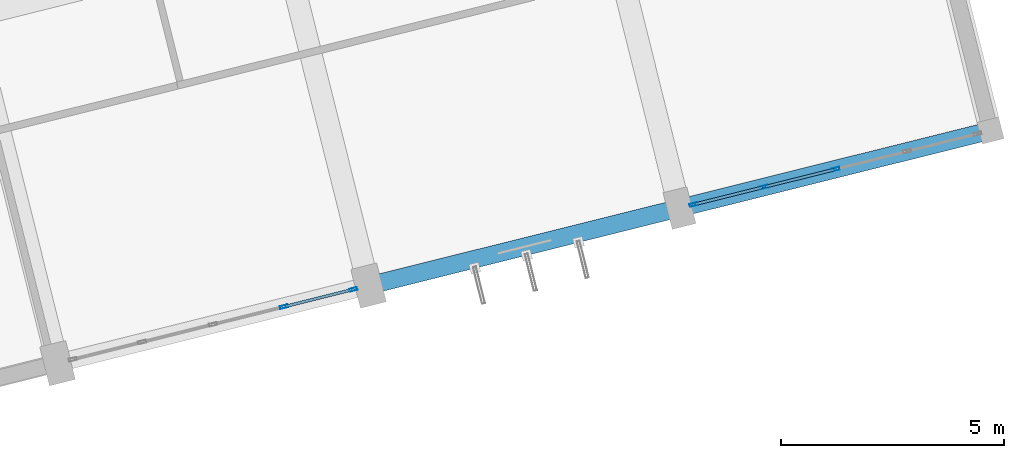
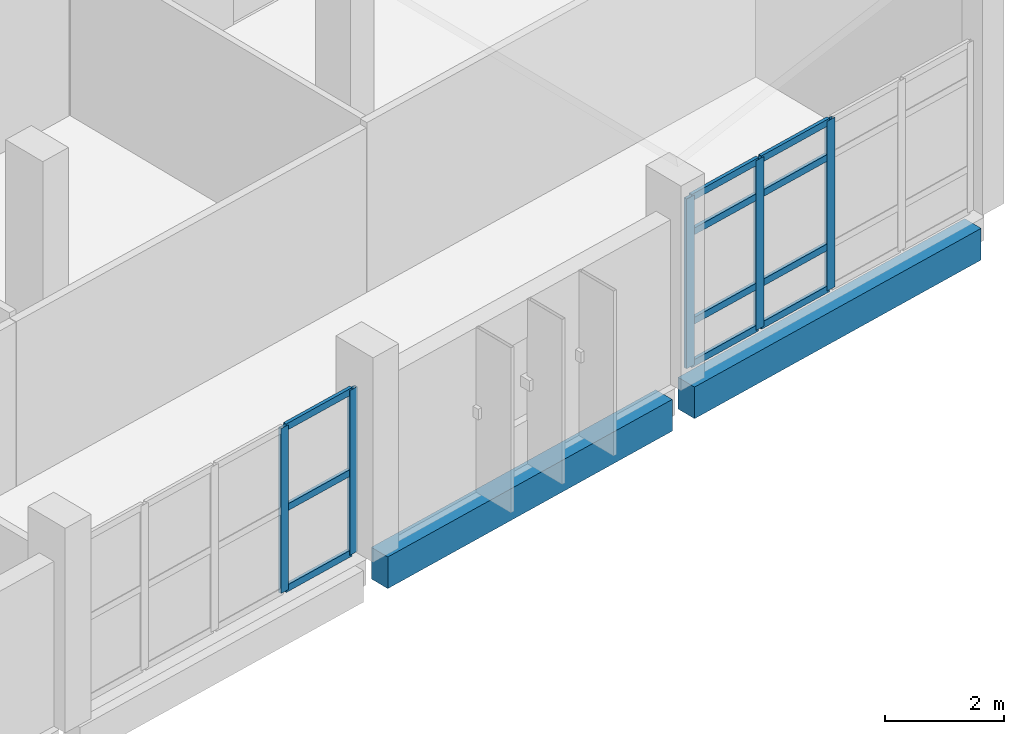
# One storey, part 108 of 164: 16 members, 2 beams, 2 elements without a shape of their own.
"""IFC4 building model written with IfcOpenShell, lengths in metres."""

from ifc_helpers import new_model, si_unit, direction, frame, origin, origin_2d, place, context, subcontext, project, spatial, rectangle, hollow_rectangle, extrude, material, layer, layer_set, material_profile, profile_set, type_object, element, aggregate, save


model = new_model("IFC4")

# Units and contexts
model_context = context("Model", 3, precision=1e-05, world=origin(), true_north=direction((0.0, 1.0)))
body_context = subcontext(model_context, "Body", "Model", "MODEL_VIEW")
ifc_project = project(units=[si_unit("LENGTHUNIT", "METRE"), si_unit("AREAUNIT", "SQUARE_METRE"), si_unit("VOLUMEUNIT", "CUBIC_METRE"), si_unit("PLANEANGLEUNIT", "RADIAN"), si_unit("MASSUNIT", "GRAM", prefix="KILO")], contexts=[model_context])

# Site, building, storey
site_placement = place(None, origin())
site = spatial("IfcSite", under=ifc_project, at=site_placement, CompositionType="ELEMENT")
building_placement = place(site_placement, origin())
building = spatial("IfcBuilding", under=site, at=building_placement, Name="Mawjan Specialist Oncology Clinic", CompositionType="ELEMENT")
storey_placement = place(building_placement, frame((0.0, 0.0, 5.0)))
storey = spatial("IfcBuildingStorey", under=building, at=storey_placement, Name="L01", CompositionType="ELEMENT", Elevation=5.0)

# Curtain wall, members
ifc_material_1 = material(Name="Unitised spectrally selective aluminium curtain wall", Category="aluminium")
ifc_layer_1 = layer(ifc_material_1, 0.179931640625, Name="Unitised spectrally selective aluminium curtain wall", Category="aluminium")
ifc_layer_set_1 = layer_set([ifc_layer_1], Name="Unitised spectrally selective aluminium curtain wall")
curtain_wall_type_1 = type_object("IfcCurtainWallType", Name="CW-43", PredefinedType="NOTDEFINED", material=ifc_layer_set_1)
curtain_wall_1_placement = place(storey_placement, origin())
curtain_wall_1 = element("IfcCurtainWall", 1, at=curtain_wall_1_placement, inside=storey, type_object=curtain_wall_type_1, Name="L01 Unitised Curtain Wall CW-L01-087", PredefinedType="NOTDEFINED")
ifc_material_2 = material(Name="Thermally broken aluminium 6063-T6", Category="aluminium")
ifc_material_profile_1 = material_profile(ifc_material_2, hollow_rectangle(XDim=0.06494140625, YDim=0.179931640625, WallThickness=0.00390625, at=origin_2d()), Name="ALU MULLION 180x65x4", Category="aluminium")
ifc_profile_set_1 = profile_set([ifc_material_profile_1], Name="Thermally broken aluminium 6063-T6")
member_type_1 = type_object("IfcMemberType", Name="CW-M180", PredefinedType="MULLION", material=ifc_profile_set_1)
member_1_placement = place(storey_placement, frame((157.44970703125, 8.641357421875, 0.0), z_axis=(0.0, 0.0, 1.0), x_axis=(0.241922074178, -0.970295681751, 0.0)))
member_1 = element("IfcMember", 2, at=member_1_placement, type_object=member_type_1, Name="CW-43 mullion 3", PredefinedType="MULLION", context=body_context, shape_type="SweptSolid", body=[
    extrude(hollow_rectangle(XDim=0.06494140625, YDim=0.179931640625, WallThickness=0.00390625, at=origin_2d()), origin(), (0.0, 0.0, 1.0), 3.485107421875),
])
member_2_placement = place(storey_placement, frame((155.84033203125, 8.239990234375, 0.0), z_axis=(0.0, 0.0, 1.0), x_axis=(0.241922074178, -0.970295681751, 0.0)))
member_2 = element("IfcMember", 3, at=member_2_placement, type_object=member_type_1, Name="CW-43 mullion 4", PredefinedType="MULLION", context=body_context, shape_type="SweptSolid", body=[
    extrude(hollow_rectangle(XDim=0.06494140625, YDim=0.179931640625, WallThickness=0.00390625, at=origin_2d()), origin(), (0.0, 0.0, 1.0), 3.485107421875),
])
member_3_placement = place(storey_placement, frame((154.26220703125, 7.8466796875, 0.0), z_axis=(0.0, 0.0, 1.0), x_axis=(0.241922074178, -0.970295681751, 0.0)))
member_3 = element("IfcMember", 4, at=member_3_placement, type_object=member_type_1, Name="CW-43 mullion 5", PredefinedType="MULLION", context=body_context, shape_type="SweptSolid", body=[
    extrude(hollow_rectangle(XDim=0.06494140625, YDim=0.179931640625, WallThickness=0.00390625, at=origin_2d()), origin(), (0.0, 0.0, 1.0), 3.485107421875),
])

ifc_material_3 = material(Name="Unitised spectrally selective aluminium curtain wall", Category="aluminium")
ifc_layer_2 = layer(ifc_material_3, 0.179931640625, Name="Unitised spectrally selective aluminium curtain wall", Category="aluminium")
ifc_layer_set_2 = layer_set([ifc_layer_2], Name="Unitised spectrally selective aluminium curtain wall")
curtain_wall_type_2 = type_object("IfcCurtainWallType", Name="CW-44", PredefinedType="NOTDEFINED", material=ifc_layer_set_2)
curtain_wall_2_placement = place(storey_placement, origin())
curtain_wall_2 = element("IfcCurtainWall", 5, at=curtain_wall_2_placement, inside=storey, type_object=curtain_wall_type_2, Name="L01 Unitised Curtain Wall CW-L01-088", PredefinedType="NOTDEFINED")
member_4_placement = place(storey_placement, frame((146.616455078125, 5.940185546875, 0.0), z_axis=(0.0, 0.0, 1.0), x_axis=(0.241921946692, -0.970295713537, 0.0)))
member_4 = element("IfcMember", 6, at=member_4_placement, type_object=member_type_1, Name="CW-44 mullion 1", PredefinedType="MULLION", context=body_context, shape_type="SweptSolid", body=[
    extrude(hollow_rectangle(XDim=0.06494140625, YDim=0.179931640625, WallThickness=0.00390625, at=origin_2d()), origin(), (0.0, 0.0, 1.0), 3.385009765625),
])
member_5_placement = place(storey_placement, frame((145.056640625, 5.55126953125, 0.0), z_axis=(0.0, 0.0, 1.0), x_axis=(0.241921946692, -0.970295713537, 0.0)))
member_5 = element("IfcMember", 7, at=member_5_placement, type_object=member_type_1, Name="CW-44 mullion 2", PredefinedType="MULLION", context=body_context, shape_type="SweptSolid", body=[
    extrude(hollow_rectangle(XDim=0.06494140625, YDim=0.179931640625, WallThickness=0.00390625, at=origin_2d()), origin(), (0.0, 0.0, 1.0), 3.385009765625),
])

# Member
ifc_material_4 = material(Name="Thermally broken aluminium 6063-T6", Category="aluminium")
ifc_material_profile_2 = material_profile(ifc_material_4, hollow_rectangle(XDim=0.06494140625, YDim=0.139892578125, WallThickness=0.00390625, at=origin_2d()), Name="ALU TRANSOM 140x65x4", Category="aluminium")
ifc_profile_set_2 = profile_set([ifc_material_profile_2], Name="Thermally broken aluminium 6063-T6")
member_type_2 = type_object("IfcMemberType", Name="CW-T140", PredefinedType="USERDEFINED", material=ifc_profile_set_2)
member_6_placement = place(storey_placement, frame((157.418212890625, 8.633544921875, 0.032470703125), z_axis=(-0.970268520581, -0.242030985557, 0.0), x_axis=(0.242030985557, -0.970268520581, 0.0)))
member_6 = element("IfcMember", 8, at=member_6_placement, type_object=member_type_2, Name="CW-43 transom 3.1", ObjectType="TRANSOM", PredefinedType="USERDEFINED", context=body_context, shape_type="SweptSolid", body=[
    extrude(hollow_rectangle(XDim=0.06494140625, YDim=0.139892578125, WallThickness=0.00390625, at=origin_2d()), origin(), (0.0, 0.0, 1.0), 1.59375),
])

member_7_placement = place(storey_placement, frame((157.418212890625, 8.633544921875, 0.89990234375), z_axis=(-0.970268520581, -0.242030985557, 0.0), x_axis=(0.242030985557, -0.970268520581, 0.0)))
member_7 = element("IfcMember", 9, at=member_7_placement, type_object=member_type_2, Name="CW-43 transom 3.2", ObjectType="TRANSOM", PredefinedType="USERDEFINED", context=body_context, shape_type="SweptSolid", body=[
    extrude(hollow_rectangle(XDim=0.06494140625, YDim=0.139892578125, WallThickness=0.00390625, at=origin_2d()), origin(), (0.0, 0.0, 1.0), 1.59375),
])

member_8_placement = place(storey_placement, frame((157.418212890625, 8.633544921875, 2.735107421875), z_axis=(-0.970268520581, -0.242030985557, 0.0), x_axis=(0.242030985557, -0.970268520581, 0.0)))
member_8 = element("IfcMember", 10, at=member_8_placement, type_object=member_type_2, Name="CW-43 transom 3.3", ObjectType="TRANSOM", PredefinedType="USERDEFINED", context=body_context, shape_type="SweptSolid", body=[
    extrude(hollow_rectangle(XDim=0.06494140625, YDim=0.139892578125, WallThickness=0.00390625, at=origin_2d()), origin(), (0.0, 0.0, 1.0), 1.59375),
])

member_9_placement = place(storey_placement, frame((157.418212890625, 8.633544921875, 3.452392578125), z_axis=(-0.970268520581, -0.242030985557, 0.0), x_axis=(0.242030985557, -0.970268520581, 0.0)))
member_9 = element("IfcMember", 11, at=member_9_placement, type_object=member_type_2, Name="CW-43 transom 3.4", ObjectType="TRANSOM", PredefinedType="USERDEFINED", context=body_context, shape_type="SweptSolid", body=[
    extrude(hollow_rectangle(XDim=0.06494140625, YDim=0.139892578125, WallThickness=0.00390625, at=origin_2d()), origin(), (0.0, 0.0, 1.0), 1.59375),
])

member_10_placement = place(storey_placement, frame((155.80859375, 8.232177734375, 0.032470703125), z_axis=(-0.970298672181, -0.241910079914, 0.0), x_axis=(0.241910079914, -0.970298672181, 0.0)))
member_10 = element("IfcMember", 12, at=member_10_placement, type_object=member_type_2, Name="CW-43 transom 4.1", ObjectType="TRANSOM", PredefinedType="USERDEFINED", context=body_context, shape_type="SweptSolid", body=[
    extrude(hollow_rectangle(XDim=0.06494140625, YDim=0.139892578125, WallThickness=0.00390625, at=origin_2d()), origin(), (0.0, 0.0, 1.0), 1.561279296875),
])

member_11_placement = place(storey_placement, frame((155.80859375, 8.232177734375, 0.89990234375), z_axis=(-0.970298672181, -0.241910079914, 0.0), x_axis=(0.241910079914, -0.970298672181, 0.0)))
member_11 = element("IfcMember", 13, at=member_11_placement, type_object=member_type_2, Name="CW-43 transom 4.2", ObjectType="TRANSOM", PredefinedType="USERDEFINED", context=body_context, shape_type="SweptSolid", body=[
    extrude(hollow_rectangle(XDim=0.06494140625, YDim=0.139892578125, WallThickness=0.00390625, at=origin_2d()), origin(), (0.0, 0.0, 1.0), 1.561279296875),
])

member_12_placement = place(storey_placement, frame((155.80859375, 8.232177734375, 2.735107421875), z_axis=(-0.970298672181, -0.241910079914, 0.0), x_axis=(0.241910079914, -0.970298672181, 0.0)))
member_12 = element("IfcMember", 14, at=member_12_placement, type_object=member_type_2, Name="CW-43 transom 4.3", ObjectType="TRANSOM", PredefinedType="USERDEFINED", context=body_context, shape_type="SweptSolid", body=[
    extrude(hollow_rectangle(XDim=0.06494140625, YDim=0.139892578125, WallThickness=0.00390625, at=origin_2d()), origin(), (0.0, 0.0, 1.0), 1.561279296875),
])

member_13_placement = place(storey_placement, frame((155.80859375, 8.232177734375, 3.452392578125), z_axis=(-0.970298672181, -0.241910079914, 0.0), x_axis=(0.241910079914, -0.970298672181, 0.0)))
member_13 = element("IfcMember", 15, at=member_13_placement, type_object=member_type_2, Name="CW-43 transom 4.4", ObjectType="TRANSOM", PredefinedType="USERDEFINED", context=body_context, shape_type="SweptSolid", body=[
    extrude(hollow_rectangle(XDim=0.06494140625, YDim=0.139892578125, WallThickness=0.00390625, at=origin_2d()), origin(), (0.0, 0.0, 1.0), 1.561279296875),
])

aggregate(curtain_wall_1, [member_1, member_2, member_3, member_6, member_7, member_8, member_9, member_10, member_11, member_12, member_13])

member_14_placement = place(storey_placement, frame((146.584716796875, 5.932373046875, 0.032470703125), z_axis=(-0.970309868335, -0.241865167833, 0.0), x_axis=(0.241865167833, -0.970309868335, 0.0)))
member_14 = element("IfcMember", 16, at=member_14_placement, type_object=member_type_2, Name="CW-44 transom 1.1", ObjectType="TRANSOM", PredefinedType="USERDEFINED", context=body_context, shape_type="SweptSolid", body=[
    extrude(hollow_rectangle(XDim=0.06494140625, YDim=0.139892578125, WallThickness=0.00390625, at=origin_2d()), origin(), (0.0, 0.0, 1.0), 1.54248046875),
])

member_15_placement = place(storey_placement, frame((146.584716796875, 5.932373046875, 1.6923828125), z_axis=(-0.970309868335, -0.241865167833, 0.0), x_axis=(0.241865167833, -0.970309868335, 0.0)))
member_15 = element("IfcMember", 17, at=member_15_placement, type_object=member_type_2, Name="CW-44 transom 1.2", ObjectType="TRANSOM", PredefinedType="USERDEFINED", context=body_context, shape_type="SweptSolid", body=[
    extrude(hollow_rectangle(XDim=0.06494140625, YDim=0.139892578125, WallThickness=0.00390625, at=origin_2d()), origin(), (0.0, 0.0, 1.0), 1.54248046875),
])

member_16_placement = place(storey_placement, frame((146.584716796875, 5.932373046875, 3.3525390625), z_axis=(-0.970309868335, -0.241865167833, 0.0), x_axis=(0.241865167833, -0.970309868335, 0.0)))
member_16 = element("IfcMember", 18, at=member_16_placement, type_object=member_type_2, Name="CW-44 transom 1.3", ObjectType="TRANSOM", PredefinedType="USERDEFINED", context=body_context, shape_type="SweptSolid", body=[
    extrude(hollow_rectangle(XDim=0.06494140625, YDim=0.139892578125, WallThickness=0.00390625, at=origin_2d()), origin(), (0.0, 0.0, 1.0), 1.54248046875),
])

aggregate(curtain_wall_2, [member_4, member_5, member_14, member_15, member_16])

# Beams
ifc_material_5 = material(Name="Concrete C45/55", Category="concrete")
ifc_material_profile_3 = material_profile(ifc_material_5, rectangle(XDim=0.39990234375, YDim=0.64990234375, at=origin_2d()), Name="RC BM 400x650", Category="concrete")
ifc_profile_set_3 = profile_set([ifc_material_profile_3], Name="Concrete C45/55")
beam_type = type_object("IfcBeamType", Name="SP-400x650", PredefinedType="SPANDREL", material=ifc_profile_set_3)
beam_1_placement = place(storey_placement, frame((147.23486328125, 6.094482421875, -0.625), z_axis=(0.970299828174, 0.241905443192, 0.0), x_axis=(-0.241905443192, 0.970299828174, 0.0)))
element("IfcBeam", 19, at=beam_1_placement, inside=storey, type_object=beam_type, Name="L01 Spandrel Beam BM-L01-0588", PredefinedType="SPANDREL", context=body_context, shape_type="SweptSolid", body=[
    extrude(rectangle(XDim=0.39990234375, YDim=0.64990234375, at=origin_2d()), origin(), (0.0, 0.0, 1.0), 6.655029296875),
])
beam_2_placement = place(storey_placement, frame((154.19677734375, 7.830322265625, -0.625), z_axis=(0.970296517902, 0.24191872054, 0.0), x_axis=(-0.24191872054, 0.970296517902, 0.0)))
element("IfcBeam", 20, at=beam_2_placement, inside=storey, type_object=beam_type, Name="L01 Spandrel Beam BM-L01-0589", PredefinedType="SPANDREL", context=body_context, shape_type="SweptSolid", body=[
    extrude(rectangle(XDim=0.39990234375, YDim=0.64990234375, at=origin_2d()), origin(), (0.0, 0.0, 1.0), 6.705078125),
])

save(model, "model.ifc")
